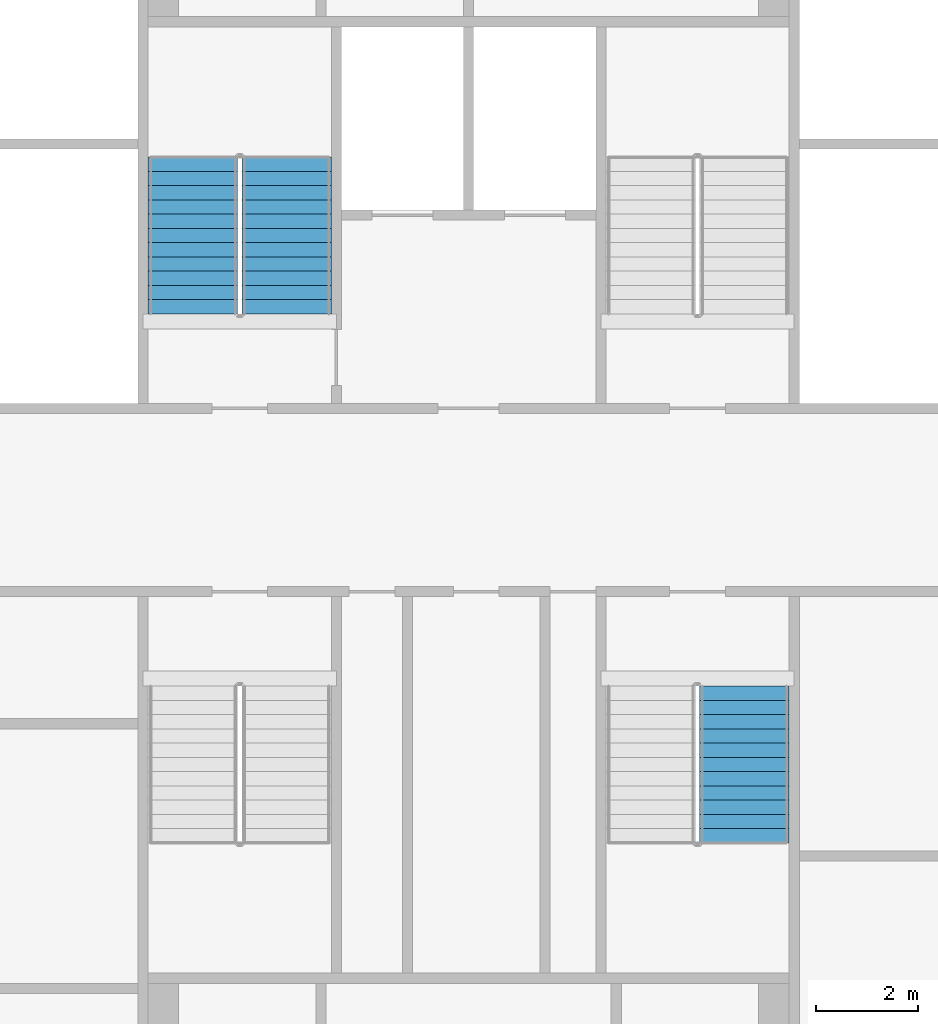
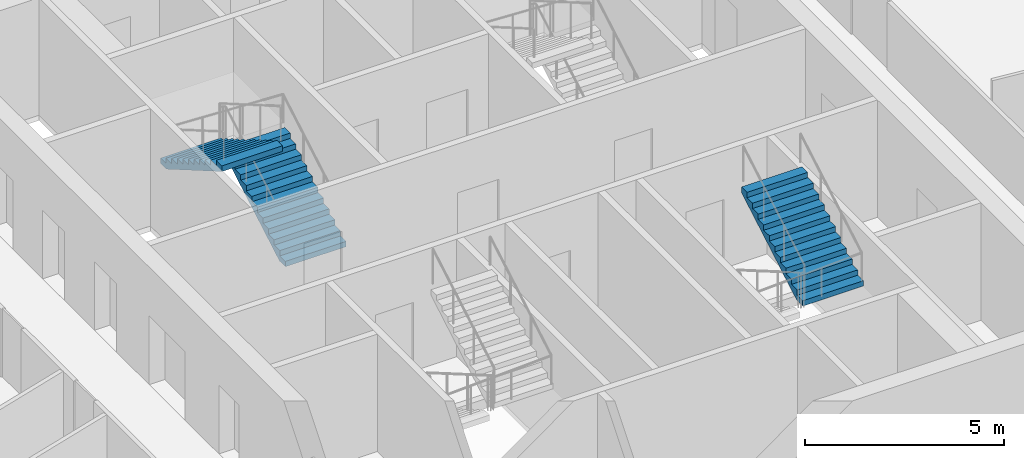
# One storey, part 8 of 11: 3 stair flights, 2 elements without a shape of their own.
"""IFC4 building model written with IfcOpenShell, lengths in metres."""

from ifc_helpers import new_model, si_unit, direction, frame, origin, place, context, subcontext, project, spatial, faceted_brep, material, type_object, element, aggregate, save


model = new_model("IFC4")

# Units and contexts
model_context = context("Model", 3, precision=1e-05, world=origin(), true_north=direction((0.0, 1.0)))
body_context = subcontext(model_context, "Body", "Model", "MODEL_VIEW")
ifc_project = project(units=[si_unit("LENGTHUNIT", "METRE"), si_unit("AREAUNIT", "SQUARE_METRE"), si_unit("VOLUMEUNIT", "CUBIC_METRE"), si_unit("PLANEANGLEUNIT", "RADIAN"), si_unit("MASSUNIT", "GRAM", prefix="KILO")], contexts=[model_context])

# Site, building, storey
site_placement = place(None, origin())
site = spatial("IfcSite", under=ifc_project, at=site_placement, CompositionType="ELEMENT")
building_placement = place(site_placement, origin())
building = spatial("IfcBuilding", under=site, at=building_placement, Name="Tarsis Ring Headquarters", CompositionType="ELEMENT")
storey_placement = place(building_placement, frame((0.0, 0.0, 350.89990234375)))
storey = spatial("IfcBuildingStorey", under=building, at=storey_placement, Name="L83", CompositionType="ELEMENT", Elevation=350.89990234375)

# Stair, stair flights
ifc_material_1 = material(Name="Core stair 1760")
stair_type = type_object("IfcStairType", Name="Core stair 1760", PredefinedType="HALF_TURN_STAIR", material=ifc_material_1)
stair_1_placement = place(storey_placement, origin())
stair_1 = element("IfcStair", 1, at=stair_1_placement, inside=storey, type_object=stair_type, Name="L83 Firefighting stair", PredefinedType="HALF_TURN_STAIR")
ifc_material_2 = material(Name="Concrete C40/50", Category="concrete")
stair_flight_type = type_object("IfcStairFlightType", Name="Core stair flight 1760", PredefinedType="STRAIGHT", material=ifc_material_2)
stair_flight_1_placement = place(storey_placement, frame((-3.580078125, 3.659912109375, 0.0), z_axis=(0.0, 0.0, 1.0), x_axis=(0.0, 1.0, 0.0)))
stair_flight_1 = element("IfcStairFlight", 2, at=stair_flight_1_placement, type_object=stair_flight_type, Name="Stair ST1 flight 1", NumberOfRisers=12, NumberOfTreads=11, PredefinedType="STRAIGHT", RiserHeight=0.1625, TreadLength=0.28, context=body_context, shape_type="Brep", body=[
    faceted_brep([(0.0, 0.8798828125, 0.0), (0.0, 0.8798828125, 0.16259765625), (0.280029296875, 0.8798828125, 0.16259765625), (0.280029296875, 0.8798828125, 0.324951171875), (0.56005859375, 0.8798828125, 0.324951171875), (0.56005859375, 0.8798828125, 0.487548828125), (0.840087890625, 0.8798828125, 0.487548828125), (0.840087890625, 0.8798828125, 0.64990234375), (1.1201171875, 0.8798828125, 0.64990234375), (1.1201171875, 0.8798828125, 0.8125), (1.39990234375, 0.8798828125, 0.8125), (1.39990234375, 0.8798828125, 0.97509765625), (1.679931640625, 0.8798828125, 0.97509765625), (1.679931640625, 0.8798828125, 1.137451171875), (1.9599609375, 0.8798828125, 1.137451171875), (1.9599609375, 0.8798828125, 1.300048828125), (2.239990234375, 0.8798828125, 1.300048828125), (2.239990234375, 0.8798828125, 1.46240234375), (2.52001953125, 0.8798828125, 1.46240234375), (2.52001953125, 0.8798828125, 1.625), (2.800048828125, 0.8798828125, 1.625), (2.800048828125, 0.8798828125, 1.78759765625), (3.080078125, 0.8798828125, 1.78759765625), (3.080078125, 0.8798828125, 1.6142578125), (0.298583984375, 0.8798828125, 0.0), (0.298583984375, -0.8798828125, 0.0), (3.080078125, -0.8798828125, 1.6142578125), (3.080078125, -0.8798828125, 1.78759765625), (2.800048828125, -0.8798828125, 1.78759765625), (2.800048828125, -0.8798828125, 1.625), (2.52001953125, -0.8798828125, 1.625), (2.52001953125, -0.8798828125, 1.46240234375), (2.239990234375, -0.8798828125, 1.46240234375), (2.239990234375, -0.8798828125, 1.300048828125), (1.9599609375, -0.8798828125, 1.300048828125), (1.9599609375, -0.8798828125, 1.137451171875), (1.679931640625, -0.8798828125, 1.137451171875), (1.679931640625, -0.8798828125, 0.97509765625), (1.39990234375, -0.8798828125, 0.97509765625), (1.39990234375, -0.8798828125, 0.8125), (1.1201171875, -0.8798828125, 0.8125), (1.1201171875, -0.8798828125, 0.64990234375), (0.840087890625, -0.8798828125, 0.64990234375), (0.840087890625, -0.8798828125, 0.487548828125), (0.56005859375, -0.8798828125, 0.487548828125), (0.56005859375, -0.8798828125, 0.324951171875), (0.280029296875, -0.8798828125, 0.324951171875), (0.280029296875, -0.8798828125, 0.16259765625), (0.0, -0.8798828125, 0.16259765625), (0.0, -0.8798828125, 0.0), (0.0, -0.43994140625, 0.16259765625), (0.0, -0.43994140625, 0.0), (0.0, 0.0, 0.16259765625), (0.0, 0.0, 0.0), (0.0, 0.43994140625, 0.16259765625), (0.0, 0.43994140625, 0.0), (0.280029296875, -0.43994140625, 0.16259765625), (0.280029296875, 0.0, 0.16259765625), (0.280029296875, 0.43994140625, 0.16259765625), (0.280029296875, -0.43994140625, 0.324951171875), (0.280029296875, 0.0, 0.324951171875), (0.280029296875, 0.43994140625, 0.324951171875), (0.56005859375, -0.43994140625, 0.324951171875), (0.56005859375, 0.0, 0.324951171875), (0.56005859375, 0.43994140625, 0.324951171875), (0.56005859375, -0.43994140625, 0.487548828125), (0.56005859375, 0.0, 0.487548828125), (0.56005859375, 0.43994140625, 0.487548828125), (0.840087890625, -0.43994140625, 0.487548828125), (0.840087890625, 0.0, 0.487548828125), (0.840087890625, 0.43994140625, 0.487548828125), (0.840087890625, -0.43994140625, 0.64990234375), (0.840087890625, 0.0, 0.64990234375), (0.840087890625, 0.43994140625, 0.64990234375), (1.1201171875, -0.43994140625, 0.64990234375), (1.1201171875, 0.0, 0.64990234375), (1.1201171875, 0.43994140625, 0.64990234375), (1.1201171875, -0.43994140625, 0.8125), (1.1201171875, 0.0, 0.8125), (1.1201171875, 0.43994140625, 0.8125), (1.39990234375, -0.43994140625, 0.8125), (1.39990234375, 0.0, 0.8125), (1.39990234375, 0.43994140625, 0.8125), (1.39990234375, -0.43994140625, 0.97509765625), (1.39990234375, 0.0, 0.97509765625), (1.39990234375, 0.43994140625, 0.97509765625), (1.679931640625, -0.43994140625, 0.97509765625), (1.679931640625, 0.0, 0.97509765625), (1.679931640625, 0.43994140625, 0.97509765625), (1.679931640625, -0.43994140625, 1.137451171875), (1.679931640625, 0.0, 1.137451171875), (1.679931640625, 0.43994140625, 1.137451171875), (1.9599609375, -0.43994140625, 1.137451171875), (1.9599609375, 0.0, 1.137451171875), (1.9599609375, 0.43994140625, 1.137451171875), (1.9599609375, -0.43994140625, 1.300048828125), (1.9599609375, 0.0, 1.300048828125), (1.9599609375, 0.43994140625, 1.300048828125), (2.239990234375, -0.43994140625, 1.300048828125), (2.239990234375, 0.0, 1.300048828125), (2.239990234375, 0.43994140625, 1.300048828125), (2.239990234375, -0.43994140625, 1.46240234375), (2.239990234375, 0.0, 1.46240234375), (2.239990234375, 0.43994140625, 1.46240234375), (2.52001953125, -0.43994140625, 1.46240234375), (2.52001953125, 0.0, 1.46240234375), (2.52001953125, 0.43994140625, 1.46240234375), (2.52001953125, -0.43994140625, 1.625), (2.52001953125, 0.0, 1.625), (2.52001953125, 0.43994140625, 1.625), (2.800048828125, -0.43994140625, 1.625), (2.800048828125, 0.0, 1.625), (2.800048828125, 0.43994140625, 1.625), (2.800048828125, -0.43994140625, 1.78759765625), (2.800048828125, 0.0, 1.78759765625), (2.800048828125, 0.43994140625, 1.78759765625), (3.080078125, -0.43994140625, 1.78759765625), (3.080078125, 0.0, 1.78759765625), (3.080078125, 0.43994140625, 1.78759765625), (3.080078125, -0.43994140625, 1.6142578125), (3.080078125, 0.0, 1.6142578125), (3.080078125, 0.43994140625, 1.6142578125), (0.298583984375, -0.43994140625, 0.0), (0.298583984375, 0.0, 0.0), (0.298583984375, 0.43994140625, 0.0)], [[[0, 1, 2, 3, 4, 5, 6, 7, 8, 9, 10, 11, 12, 13, 14, 15, 16, 17, 18, 19, 20, 21, 22, 23, 24]], [[25, 26, 27, 28, 29, 30, 31, 32, 33, 34, 35, 36, 37, 38, 39, 40, 41, 42, 43, 44, 45, 46, 47, 48, 49]], [[49, 48, 50, 51]], [[51, 50, 52, 53]], [[53, 52, 54, 55]], [[55, 54, 1, 0]], [[48, 47, 56, 50]], [[50, 56, 57, 52]], [[52, 57, 58, 54]], [[54, 58, 2, 1]], [[47, 46, 59, 56]], [[56, 59, 60, 57]], [[57, 60, 61, 58]], [[58, 61, 3, 2]], [[46, 45, 62, 59]], [[59, 62, 63, 60]], [[60, 63, 64, 61]], [[61, 64, 4, 3]], [[45, 44, 65, 62]], [[62, 65, 66, 63]], [[63, 66, 67, 64]], [[64, 67, 5, 4]], [[44, 43, 68, 65]], [[65, 68, 69, 66]], [[66, 69, 70, 67]], [[67, 70, 6, 5]], [[43, 42, 71, 68]], [[68, 71, 72, 69]], [[69, 72, 73, 70]], [[70, 73, 7, 6]], [[42, 41, 74, 71]], [[71, 74, 75, 72]], [[72, 75, 76, 73]], [[73, 76, 8, 7]], [[41, 40, 77, 74]], [[74, 77, 78, 75]], [[75, 78, 79, 76]], [[76, 79, 9, 8]], [[40, 39, 80, 77]], [[77, 80, 81, 78]], [[78, 81, 82, 79]], [[79, 82, 10, 9]], [[39, 38, 83, 80]], [[80, 83, 84, 81]], [[81, 84, 85, 82]], [[82, 85, 11, 10]], [[38, 37, 86, 83]], [[83, 86, 87, 84]], [[84, 87, 88, 85]], [[85, 88, 12, 11]], [[37, 36, 89, 86]], [[86, 89, 90, 87]], [[87, 90, 91, 88]], [[88, 91, 13, 12]], [[36, 35, 92, 89]], [[89, 92, 93, 90]], [[90, 93, 94, 91]], [[91, 94, 14, 13]], [[35, 34, 95, 92]], [[92, 95, 96, 93]], [[93, 96, 97, 94]], [[94, 97, 15, 14]], [[34, 33, 98, 95]], [[95, 98, 99, 96]], [[96, 99, 100, 97]], [[97, 100, 16, 15]], [[33, 32, 101, 98]], [[98, 101, 102, 99]], [[99, 102, 103, 100]], [[100, 103, 17, 16]], [[32, 31, 104, 101]], [[101, 104, 105, 102]], [[102, 105, 106, 103]], [[103, 106, 18, 17]], [[31, 30, 107, 104]], [[104, 107, 108, 105]], [[105, 108, 109, 106]], [[106, 109, 19, 18]], [[30, 29, 110, 107]], [[107, 110, 111, 108]], [[108, 111, 112, 109]], [[109, 112, 20, 19]], [[29, 28, 113, 110]], [[110, 113, 114, 111]], [[111, 114, 115, 112]], [[112, 115, 21, 20]], [[28, 27, 116, 113]], [[113, 116, 117, 114]], [[114, 117, 118, 115]], [[115, 118, 22, 21]], [[27, 26, 119, 116]], [[116, 119, 120, 117]], [[117, 120, 121, 118]], [[118, 121, 23, 22]], [[26, 25, 122, 119]], [[119, 122, 123, 120]], [[120, 123, 124, 121]], [[121, 124, 24, 23]], [[25, 49, 51, 122]], [[122, 51, 53, 123]], [[123, 53, 55, 124]], [[124, 55, 0, 24]]]),
])
stair_flight_2_placement = place(storey_placement, frame((-5.419921875, 6.739990234375, 1.9501953125), z_axis=(0.0, 0.0, 1.0), x_axis=(0.0, -1.0, 0.0)))
stair_flight_2 = element("IfcStairFlight", 3, at=stair_flight_2_placement, type_object=stair_flight_type, Name="Stair ST1 flight 2", NumberOfRisers=12, NumberOfTreads=11, PredefinedType="STRAIGHT", RiserHeight=0.1625, TreadLength=0.28, context=body_context, shape_type="Brep", body=[
    faceted_brep([(0.0, 0.8798828125, 0.0), (0.0, 0.8798828125, 0.16259765625), (0.280029296875, 0.8798828125, 0.16259765625), (0.280029296875, 0.8798828125, 0.324951171875), (0.56005859375, 0.8798828125, 0.324951171875), (0.56005859375, 0.8798828125, 0.487548828125), (0.840087890625, 0.8798828125, 0.487548828125), (0.840087890625, 0.8798828125, 0.64990234375), (1.1201171875, 0.8798828125, 0.64990234375), (1.1201171875, 0.8798828125, 0.8125), (1.39990234375, 0.8798828125, 0.8125), (1.39990234375, 0.8798828125, 0.97509765625), (1.679931640625, 0.8798828125, 0.97509765625), (1.679931640625, 0.8798828125, 1.137451171875), (1.9599609375, 0.8798828125, 1.137451171875), (1.9599609375, 0.8798828125, 1.300048828125), (2.239990234375, 0.8798828125, 1.300048828125), (2.239990234375, 0.8798828125, 1.46240234375), (2.52001953125, 0.8798828125, 1.46240234375), (2.52001953125, 0.8798828125, 1.625), (2.800048828125, 0.8798828125, 1.625), (2.800048828125, 0.8798828125, 1.78759765625), (3.080078125, 0.8798828125, 1.78759765625), (3.080078125, 0.8798828125, 1.6142578125), (0.298583984375, 0.8798828125, 0.0), (0.298583984375, -0.8798828125, 0.0), (3.080078125, -0.8798828125, 1.6142578125), (3.080078125, -0.8798828125, 1.78759765625), (2.800048828125, -0.8798828125, 1.78759765625), (2.800048828125, -0.8798828125, 1.625), (2.52001953125, -0.8798828125, 1.625), (2.52001953125, -0.8798828125, 1.46240234375), (2.239990234375, -0.8798828125, 1.46240234375), (2.239990234375, -0.8798828125, 1.300048828125), (1.9599609375, -0.8798828125, 1.300048828125), (1.9599609375, -0.8798828125, 1.137451171875), (1.679931640625, -0.8798828125, 1.137451171875), (1.679931640625, -0.8798828125, 0.97509765625), (1.39990234375, -0.8798828125, 0.97509765625), (1.39990234375, -0.8798828125, 0.8125), (1.1201171875, -0.8798828125, 0.8125), (1.1201171875, -0.8798828125, 0.64990234375), (0.840087890625, -0.8798828125, 0.64990234375), (0.840087890625, -0.8798828125, 0.487548828125), (0.56005859375, -0.8798828125, 0.487548828125), (0.56005859375, -0.8798828125, 0.324951171875), (0.280029296875, -0.8798828125, 0.324951171875), (0.280029296875, -0.8798828125, 0.16259765625), (0.0, -0.8798828125, 0.16259765625), (0.0, -0.8798828125, 0.0), (0.0, -0.43994140625, 0.16259765625), (0.0, -0.43994140625, 0.0), (0.0, 0.0, 0.16259765625), (0.0, 0.0, 0.0), (0.0, 0.43994140625, 0.16259765625), (0.0, 0.43994140625, 0.0), (0.280029296875, -0.43994140625, 0.16259765625), (0.280029296875, 0.0, 0.16259765625), (0.280029296875, 0.43994140625, 0.16259765625), (0.280029296875, -0.43994140625, 0.324951171875), (0.280029296875, 0.0, 0.324951171875), (0.280029296875, 0.43994140625, 0.324951171875), (0.56005859375, -0.43994140625, 0.324951171875), (0.56005859375, 0.0, 0.324951171875), (0.56005859375, 0.43994140625, 0.324951171875), (0.56005859375, -0.43994140625, 0.487548828125), (0.56005859375, 0.0, 0.487548828125), (0.56005859375, 0.43994140625, 0.487548828125), (0.840087890625, -0.43994140625, 0.487548828125), (0.840087890625, 0.0, 0.487548828125), (0.840087890625, 0.43994140625, 0.487548828125), (0.840087890625, -0.43994140625, 0.64990234375), (0.840087890625, 0.0, 0.64990234375), (0.840087890625, 0.43994140625, 0.64990234375), (1.1201171875, -0.43994140625, 0.64990234375), (1.1201171875, 0.0, 0.64990234375), (1.1201171875, 0.43994140625, 0.64990234375), (1.1201171875, -0.43994140625, 0.8125), (1.1201171875, 0.0, 0.8125), (1.1201171875, 0.43994140625, 0.8125), (1.39990234375, -0.43994140625, 0.8125), (1.39990234375, 0.0, 0.8125), (1.39990234375, 0.43994140625, 0.8125), (1.39990234375, -0.43994140625, 0.97509765625), (1.39990234375, 0.0, 0.97509765625), (1.39990234375, 0.43994140625, 0.97509765625), (1.679931640625, -0.43994140625, 0.97509765625), (1.679931640625, 0.0, 0.97509765625), (1.679931640625, 0.43994140625, 0.97509765625), (1.679931640625, -0.43994140625, 1.137451171875), (1.679931640625, 0.0, 1.137451171875), (1.679931640625, 0.43994140625, 1.137451171875), (1.9599609375, -0.43994140625, 1.137451171875), (1.9599609375, 0.0, 1.137451171875), (1.9599609375, 0.43994140625, 1.137451171875), (1.9599609375, -0.43994140625, 1.300048828125), (1.9599609375, 0.0, 1.300048828125), (1.9599609375, 0.43994140625, 1.300048828125), (2.239990234375, -0.43994140625, 1.300048828125), (2.239990234375, 0.0, 1.300048828125), (2.239990234375, 0.43994140625, 1.300048828125), (2.239990234375, -0.43994140625, 1.46240234375), (2.239990234375, 0.0, 1.46240234375), (2.239990234375, 0.43994140625, 1.46240234375), (2.52001953125, -0.43994140625, 1.46240234375), (2.52001953125, 0.0, 1.46240234375), (2.52001953125, 0.43994140625, 1.46240234375), (2.52001953125, -0.43994140625, 1.625), (2.52001953125, 0.0, 1.625), (2.52001953125, 0.43994140625, 1.625), (2.800048828125, -0.43994140625, 1.625), (2.800048828125, 0.0, 1.625), (2.800048828125, 0.43994140625, 1.625), (2.800048828125, -0.43994140625, 1.78759765625), (2.800048828125, 0.0, 1.78759765625), (2.800048828125, 0.43994140625, 1.78759765625), (3.080078125, -0.43994140625, 1.78759765625), (3.080078125, 0.0, 1.78759765625), (3.080078125, 0.43994140625, 1.78759765625), (3.080078125, -0.43994140625, 1.6142578125), (3.080078125, 0.0, 1.6142578125), (3.080078125, 0.43994140625, 1.6142578125), (0.298583984375, -0.43994140625, 0.0), (0.298583984375, 0.0, 0.0), (0.298583984375, 0.43994140625, 0.0)], [[[0, 1, 2, 3, 4, 5, 6, 7, 8, 9, 10, 11, 12, 13, 14, 15, 16, 17, 18, 19, 20, 21, 22, 23, 24]], [[25, 26, 27, 28, 29, 30, 31, 32, 33, 34, 35, 36, 37, 38, 39, 40, 41, 42, 43, 44, 45, 46, 47, 48, 49]], [[49, 48, 50, 51]], [[51, 50, 52, 53]], [[53, 52, 54, 55]], [[55, 54, 1, 0]], [[48, 47, 56, 50]], [[50, 56, 57, 52]], [[52, 57, 58, 54]], [[54, 58, 2, 1]], [[47, 46, 59, 56]], [[56, 59, 60, 57]], [[57, 60, 61, 58]], [[58, 61, 3, 2]], [[46, 45, 62, 59]], [[59, 62, 63, 60]], [[60, 63, 64, 61]], [[61, 64, 4, 3]], [[45, 44, 65, 62]], [[62, 65, 66, 63]], [[63, 66, 67, 64]], [[64, 67, 5, 4]], [[44, 43, 68, 65]], [[65, 68, 69, 66]], [[66, 69, 70, 67]], [[67, 70, 6, 5]], [[43, 42, 71, 68]], [[68, 71, 72, 69]], [[69, 72, 73, 70]], [[70, 73, 7, 6]], [[42, 41, 74, 71]], [[71, 74, 75, 72]], [[72, 75, 76, 73]], [[73, 76, 8, 7]], [[41, 40, 77, 74]], [[74, 77, 78, 75]], [[75, 78, 79, 76]], [[76, 79, 9, 8]], [[40, 39, 80, 77]], [[77, 80, 81, 78]], [[78, 81, 82, 79]], [[79, 82, 10, 9]], [[39, 38, 83, 80]], [[80, 83, 84, 81]], [[81, 84, 85, 82]], [[82, 85, 11, 10]], [[38, 37, 86, 83]], [[83, 86, 87, 84]], [[84, 87, 88, 85]], [[85, 88, 12, 11]], [[37, 36, 89, 86]], [[86, 89, 90, 87]], [[87, 90, 91, 88]], [[88, 91, 13, 12]], [[36, 35, 92, 89]], [[89, 92, 93, 90]], [[90, 93, 94, 91]], [[91, 94, 14, 13]], [[35, 34, 95, 92]], [[92, 95, 96, 93]], [[93, 96, 97, 94]], [[94, 97, 15, 14]], [[34, 33, 98, 95]], [[95, 98, 99, 96]], [[96, 99, 100, 97]], [[97, 100, 16, 15]], [[33, 32, 101, 98]], [[98, 101, 102, 99]], [[99, 102, 103, 100]], [[100, 103, 17, 16]], [[32, 31, 104, 101]], [[101, 104, 105, 102]], [[102, 105, 106, 103]], [[103, 106, 18, 17]], [[31, 30, 107, 104]], [[104, 107, 108, 105]], [[105, 108, 109, 106]], [[106, 109, 19, 18]], [[30, 29, 110, 107]], [[107, 110, 111, 108]], [[108, 111, 112, 109]], [[109, 112, 20, 19]], [[29, 28, 113, 110]], [[110, 113, 114, 111]], [[111, 114, 115, 112]], [[112, 115, 21, 20]], [[28, 27, 116, 113]], [[113, 116, 117, 114]], [[114, 117, 118, 115]], [[115, 118, 22, 21]], [[27, 26, 119, 116]], [[116, 119, 120, 117]], [[117, 120, 121, 118]], [[118, 121, 23, 22]], [[26, 25, 122, 119]], [[119, 122, 123, 120]], [[120, 123, 124, 121]], [[121, 124, 24, 23]], [[25, 49, 51, 122]], [[122, 51, 53, 123]], [[123, 53, 55, 124]], [[124, 55, 0, 24]]]),
])
aggregate(stair_1, [stair_flight_1, stair_flight_2])

# Stair, stair flight
stair_2_placement = place(storey_placement, origin())
stair_2 = element("IfcStair", 4, at=stair_2_placement, inside=storey, type_object=stair_type, Name="L83 Exit stair D", PredefinedType="HALF_TURN_STAIR")
stair_flight_3_placement = place(storey_placement, frame((5.419921875, -6.739990234375, 1.9501953125), z_axis=(0.0, 0.0, 1.0), x_axis=(0.0, 1.0, 0.0)))
stair_flight_3 = element("IfcStairFlight", 5, at=stair_flight_3_placement, type_object=stair_flight_type, Name="Stair ST4 flight 2", NumberOfRisers=12, NumberOfTreads=11, PredefinedType="STRAIGHT", RiserHeight=0.1625, TreadLength=0.28, context=body_context, shape_type="Brep", body=[
    faceted_brep([(0.0, 0.8798828125, 0.0), (0.0, 0.8798828125, 0.16259765625), (0.280029296875, 0.8798828125, 0.16259765625), (0.280029296875, 0.8798828125, 0.324951171875), (0.56005859375, 0.8798828125, 0.324951171875), (0.56005859375, 0.8798828125, 0.487548828125), (0.840087890625, 0.8798828125, 0.487548828125), (0.840087890625, 0.8798828125, 0.64990234375), (1.1201171875, 0.8798828125, 0.64990234375), (1.1201171875, 0.8798828125, 0.8125), (1.39990234375, 0.8798828125, 0.8125), (1.39990234375, 0.8798828125, 0.97509765625), (1.679931640625, 0.8798828125, 0.97509765625), (1.679931640625, 0.8798828125, 1.137451171875), (1.9599609375, 0.8798828125, 1.137451171875), (1.9599609375, 0.8798828125, 1.300048828125), (2.239990234375, 0.8798828125, 1.300048828125), (2.239990234375, 0.8798828125, 1.46240234375), (2.52001953125, 0.8798828125, 1.46240234375), (2.52001953125, 0.8798828125, 1.625), (2.800048828125, 0.8798828125, 1.625), (2.800048828125, 0.8798828125, 1.78759765625), (3.080078125, 0.8798828125, 1.78759765625), (3.080078125, 0.8798828125, 1.6142578125), (0.298583984375, 0.8798828125, 0.0), (0.298583984375, -0.8798828125, 0.0), (3.080078125, -0.8798828125, 1.6142578125), (3.080078125, -0.8798828125, 1.78759765625), (2.800048828125, -0.8798828125, 1.78759765625), (2.800048828125, -0.8798828125, 1.625), (2.52001953125, -0.8798828125, 1.625), (2.52001953125, -0.8798828125, 1.46240234375), (2.239990234375, -0.8798828125, 1.46240234375), (2.239990234375, -0.8798828125, 1.300048828125), (1.9599609375, -0.8798828125, 1.300048828125), (1.9599609375, -0.8798828125, 1.137451171875), (1.679931640625, -0.8798828125, 1.137451171875), (1.679931640625, -0.8798828125, 0.97509765625), (1.39990234375, -0.8798828125, 0.97509765625), (1.39990234375, -0.8798828125, 0.8125), (1.1201171875, -0.8798828125, 0.8125), (1.1201171875, -0.8798828125, 0.64990234375), (0.840087890625, -0.8798828125, 0.64990234375), (0.840087890625, -0.8798828125, 0.487548828125), (0.56005859375, -0.8798828125, 0.487548828125), (0.56005859375, -0.8798828125, 0.324951171875), (0.280029296875, -0.8798828125, 0.324951171875), (0.280029296875, -0.8798828125, 0.16259765625), (0.0, -0.8798828125, 0.16259765625), (0.0, -0.8798828125, 0.0), (0.0, -0.43994140625, 0.16259765625), (0.0, -0.43994140625, 0.0), (0.0, 0.0, 0.16259765625), (0.0, 0.0, 0.0), (0.0, 0.43994140625, 0.16259765625), (0.0, 0.43994140625, 0.0), (0.280029296875, -0.43994140625, 0.16259765625), (0.280029296875, 0.0, 0.16259765625), (0.280029296875, 0.43994140625, 0.16259765625), (0.280029296875, -0.43994140625, 0.324951171875), (0.280029296875, 0.0, 0.324951171875), (0.280029296875, 0.43994140625, 0.324951171875), (0.56005859375, -0.43994140625, 0.324951171875), (0.56005859375, 0.0, 0.324951171875), (0.56005859375, 0.43994140625, 0.324951171875), (0.56005859375, -0.43994140625, 0.487548828125), (0.56005859375, 0.0, 0.487548828125), (0.56005859375, 0.43994140625, 0.487548828125), (0.840087890625, -0.43994140625, 0.487548828125), (0.840087890625, 0.0, 0.487548828125), (0.840087890625, 0.43994140625, 0.487548828125), (0.840087890625, -0.43994140625, 0.64990234375), (0.840087890625, 0.0, 0.64990234375), (0.840087890625, 0.43994140625, 0.64990234375), (1.1201171875, -0.43994140625, 0.64990234375), (1.1201171875, 0.0, 0.64990234375), (1.1201171875, 0.43994140625, 0.64990234375), (1.1201171875, -0.43994140625, 0.8125), (1.1201171875, 0.0, 0.8125), (1.1201171875, 0.43994140625, 0.8125), (1.39990234375, -0.43994140625, 0.8125), (1.39990234375, 0.0, 0.8125), (1.39990234375, 0.43994140625, 0.8125), (1.39990234375, -0.43994140625, 0.97509765625), (1.39990234375, 0.0, 0.97509765625), (1.39990234375, 0.43994140625, 0.97509765625), (1.679931640625, -0.43994140625, 0.97509765625), (1.679931640625, 0.0, 0.97509765625), (1.679931640625, 0.43994140625, 0.97509765625), (1.679931640625, -0.43994140625, 1.137451171875), (1.679931640625, 0.0, 1.137451171875), (1.679931640625, 0.43994140625, 1.137451171875), (1.9599609375, -0.43994140625, 1.137451171875), (1.9599609375, 0.0, 1.137451171875), (1.9599609375, 0.43994140625, 1.137451171875), (1.9599609375, -0.43994140625, 1.300048828125), (1.9599609375, 0.0, 1.300048828125), (1.9599609375, 0.43994140625, 1.300048828125), (2.239990234375, -0.43994140625, 1.300048828125), (2.239990234375, 0.0, 1.300048828125), (2.239990234375, 0.43994140625, 1.300048828125), (2.239990234375, -0.43994140625, 1.46240234375), (2.239990234375, 0.0, 1.46240234375), (2.239990234375, 0.43994140625, 1.46240234375), (2.52001953125, -0.43994140625, 1.46240234375), (2.52001953125, 0.0, 1.46240234375), (2.52001953125, 0.43994140625, 1.46240234375), (2.52001953125, -0.43994140625, 1.625), (2.52001953125, 0.0, 1.625), (2.52001953125, 0.43994140625, 1.625), (2.800048828125, -0.43994140625, 1.625), (2.800048828125, 0.0, 1.625), (2.800048828125, 0.43994140625, 1.625), (2.800048828125, -0.43994140625, 1.78759765625), (2.800048828125, 0.0, 1.78759765625), (2.800048828125, 0.43994140625, 1.78759765625), (3.080078125, -0.43994140625, 1.78759765625), (3.080078125, 0.0, 1.78759765625), (3.080078125, 0.43994140625, 1.78759765625), (3.080078125, -0.43994140625, 1.6142578125), (3.080078125, 0.0, 1.6142578125), (3.080078125, 0.43994140625, 1.6142578125), (0.298583984375, -0.43994140625, 0.0), (0.298583984375, 0.0, 0.0), (0.298583984375, 0.43994140625, 0.0)], [[[0, 1, 2, 3, 4, 5, 6, 7, 8, 9, 10, 11, 12, 13, 14, 15, 16, 17, 18, 19, 20, 21, 22, 23, 24]], [[25, 26, 27, 28, 29, 30, 31, 32, 33, 34, 35, 36, 37, 38, 39, 40, 41, 42, 43, 44, 45, 46, 47, 48, 49]], [[49, 48, 50, 51]], [[51, 50, 52, 53]], [[53, 52, 54, 55]], [[55, 54, 1, 0]], [[48, 47, 56, 50]], [[50, 56, 57, 52]], [[52, 57, 58, 54]], [[54, 58, 2, 1]], [[47, 46, 59, 56]], [[56, 59, 60, 57]], [[57, 60, 61, 58]], [[58, 61, 3, 2]], [[46, 45, 62, 59]], [[59, 62, 63, 60]], [[60, 63, 64, 61]], [[61, 64, 4, 3]], [[45, 44, 65, 62]], [[62, 65, 66, 63]], [[63, 66, 67, 64]], [[64, 67, 5, 4]], [[44, 43, 68, 65]], [[65, 68, 69, 66]], [[66, 69, 70, 67]], [[67, 70, 6, 5]], [[43, 42, 71, 68]], [[68, 71, 72, 69]], [[69, 72, 73, 70]], [[70, 73, 7, 6]], [[42, 41, 74, 71]], [[71, 74, 75, 72]], [[72, 75, 76, 73]], [[73, 76, 8, 7]], [[41, 40, 77, 74]], [[74, 77, 78, 75]], [[75, 78, 79, 76]], [[76, 79, 9, 8]], [[40, 39, 80, 77]], [[77, 80, 81, 78]], [[78, 81, 82, 79]], [[79, 82, 10, 9]], [[39, 38, 83, 80]], [[80, 83, 84, 81]], [[81, 84, 85, 82]], [[82, 85, 11, 10]], [[38, 37, 86, 83]], [[83, 86, 87, 84]], [[84, 87, 88, 85]], [[85, 88, 12, 11]], [[37, 36, 89, 86]], [[86, 89, 90, 87]], [[87, 90, 91, 88]], [[88, 91, 13, 12]], [[36, 35, 92, 89]], [[89, 92, 93, 90]], [[90, 93, 94, 91]], [[91, 94, 14, 13]], [[35, 34, 95, 92]], [[92, 95, 96, 93]], [[93, 96, 97, 94]], [[94, 97, 15, 14]], [[34, 33, 98, 95]], [[95, 98, 99, 96]], [[96, 99, 100, 97]], [[97, 100, 16, 15]], [[33, 32, 101, 98]], [[98, 101, 102, 99]], [[99, 102, 103, 100]], [[100, 103, 17, 16]], [[32, 31, 104, 101]], [[101, 104, 105, 102]], [[102, 105, 106, 103]], [[103, 106, 18, 17]], [[31, 30, 107, 104]], [[104, 107, 108, 105]], [[105, 108, 109, 106]], [[106, 109, 19, 18]], [[30, 29, 110, 107]], [[107, 110, 111, 108]], [[108, 111, 112, 109]], [[109, 112, 20, 19]], [[29, 28, 113, 110]], [[110, 113, 114, 111]], [[111, 114, 115, 112]], [[112, 115, 21, 20]], [[28, 27, 116, 113]], [[113, 116, 117, 114]], [[114, 117, 118, 115]], [[115, 118, 22, 21]], [[27, 26, 119, 116]], [[116, 119, 120, 117]], [[117, 120, 121, 118]], [[118, 121, 23, 22]], [[26, 25, 122, 119]], [[119, 122, 123, 120]], [[120, 123, 124, 121]], [[121, 124, 24, 23]], [[25, 49, 51, 122]], [[122, 51, 53, 123]], [[123, 53, 55, 124]], [[124, 55, 0, 24]]]),
])
aggregate(stair_2, [stair_flight_3])

save(model, "model.ifc")
